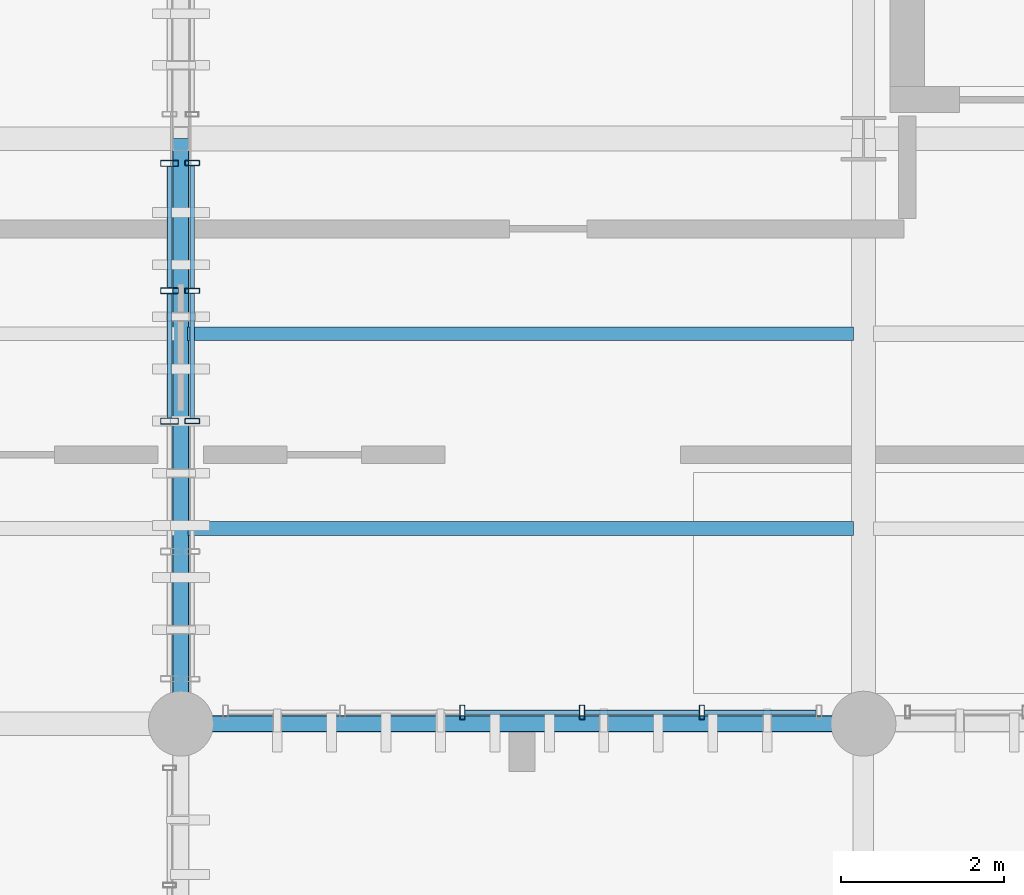
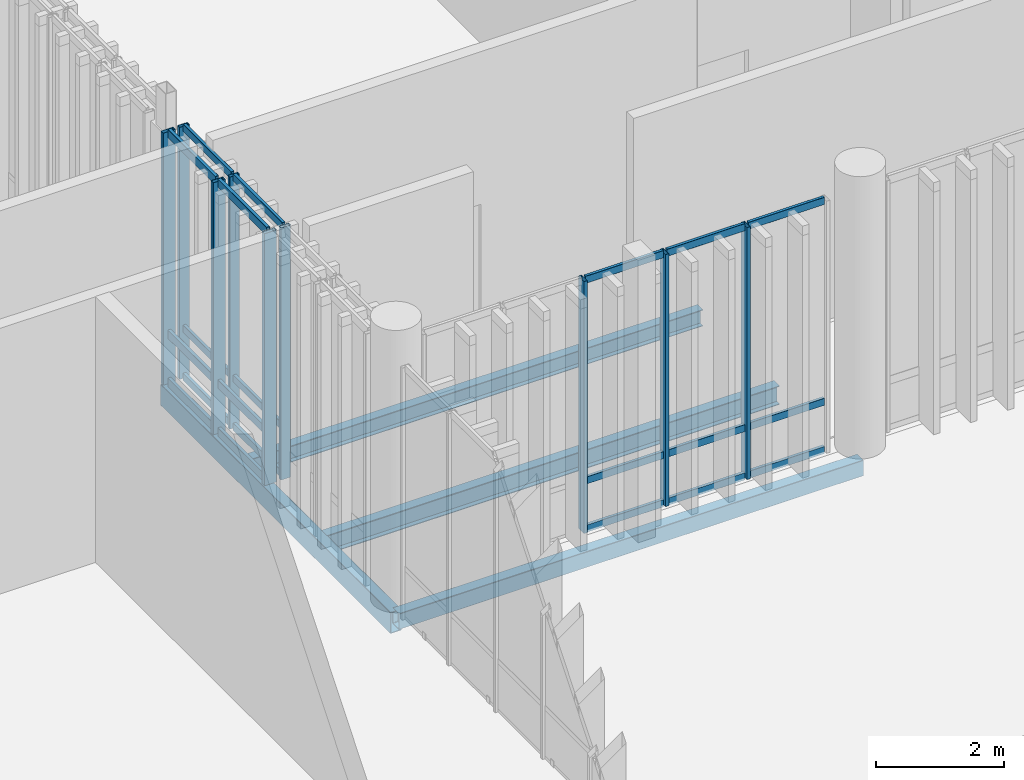
# One storey, part 36 of 128: 30 members, 4 beams, 3 elements without a shape of their own.
"""IFC4 building model written with IfcOpenShell, lengths in metres."""

from ifc_helpers import new_model, si_unit, direction, frame, origin_with_axes, origin_2d_with_axis, place, context, subcontext, project, spatial, hollow_rectangle, i_section, extrude, material, material_profile, profile_set, type_object, element, aggregate, save


model = new_model("IFC4")

# Units and contexts
model_context = context("Model", 3, precision=1e-05, world=origin_with_axes(), true_north=direction((0.0, 1.0)))
body_context = subcontext(model_context, "Body", "Model", "MODEL_VIEW")
ifc_project = project(units=[si_unit("LENGTHUNIT", "METRE"), si_unit("AREAUNIT", "SQUARE_METRE"), si_unit("VOLUMEUNIT", "CUBIC_METRE"), si_unit("PLANEANGLEUNIT", "RADIAN"), si_unit("MASSUNIT", "GRAM", prefix="KILO"), si_unit("THERMODYNAMICTEMPERATUREUNIT", "KELVIN")], contexts=[model_context])

# Site, building, storey
site_placement = place(None, origin_with_axes())
site = spatial("IfcSite", under=ifc_project, at=site_placement, CompositionType="ELEMENT")
building_placement = place(site_placement, origin_with_axes())
building = spatial("IfcBuilding", under=site, at=building_placement, Name="Montbau Bow Law Courts", CompositionType="ELEMENT")
storey_placement = place(building_placement, frame((0.0, 0.0, 5.4), z_axis=(0.0, 0.0, 1.0), x_axis=(1.0, 0.0, 0.0)))
storey = spatial("IfcBuildingStorey", under=building, at=storey_placement, Name="L01", CompositionType="ELEMENT", Elevation=5.4)

# Beams
ifc_material_1 = material(Name="Steel CSA G40.21 Grade 350W (350 MPa)", Category="steel")
ifc_material_profile_1 = material_profile(ifc_material_1, i_section(OverallWidth=0.172, OverallDepth=0.358, WebThickness=0.0079, FlangeThickness=0.0131, at=origin_2d_with_axis()), Name="W360X57", Category="Main", Priority=0)
ifc_profile_set_1 = profile_set([ifc_material_profile_1], Name="Steel CSA G40.21 Grade 350W (350 MPa)")
beam_type_1 = type_object("IfcBeamType", Name="B-JST-03", PredefinedType="JOIST", material=ifc_profile_set_1)
beam_1_placement = place(None, frame((46.88, 41.4, 4.981), z_axis=(1.0, 0.0, 0.0), x_axis=(0.0, 1.0, 0.0)))
element("IfcBeam", 1, at=beam_1_placement, inside=storey, type_object=beam_type_1, Name="JST-L01-S0414:jst2_0414", PredefinedType="JOIST", context=body_context, shape_type="SweptSolid", body=[
    extrude(i_section(OverallWidth=0.172, OverallDepth=0.358, WebThickness=0.0079, FlangeThickness=0.0131, at=origin_2d_with_axis()), origin_with_axes(), (0.0, 0.0, 1.0), 8.198),
])
ifc_material_profile_2 = material_profile(ifc_material_1, i_section(OverallWidth=0.166, OverallDepth=0.313, WebThickness=0.0066, FlangeThickness=0.0112, at=origin_2d_with_axis()), Name="W310X45", Category="Main", Priority=0)
ifc_profile_set_2 = profile_set([ifc_material_profile_2], Name="Steel CSA G40.21 Grade 350W (350 MPa)")
beam_type_2 = type_object("IfcBeamType", Name="B-JST-04", PredefinedType="JOIST", material=ifc_profile_set_2)
beam_2_placement = place(None, frame((46.88, 43.8, 5.003), z_axis=(1.0, 0.0, 0.0), x_axis=(0.0, 1.0, 0.0)))
element("IfcBeam", 2, at=beam_2_placement, inside=storey, type_object=beam_type_2, Name="JST-L01-S0415:jst2_0415", PredefinedType="JOIST", context=body_context, shape_type="SweptSolid", body=[
    extrude(i_section(OverallWidth=0.166, OverallDepth=0.313, WebThickness=0.0066, FlangeThickness=0.0112, at=origin_2d_with_axis()), origin_with_axes(), (0.0, 0.0, 1.0), 8.198),
])
ifc_material_2 = material(Name="Steel CSA G40.21 Grade 350WT (350 MPa)", Category="steel")
ifc_material_profile_3 = material_profile(ifc_material_2, hollow_rectangle(XDim=0.203, YDim=0.406, WallThickness=0.0127, InnerFilletRadius=0.0254, OuterFilletRadius=0.0127, at=origin_2d_with_axis()), Name="HSS406X203X13", Category="Main", Priority=0)
ifc_profile_set_3 = profile_set([ifc_material_profile_3], Name="Steel CSA G40.21 Grade 350WT (350 MPa)")
beam_type_3 = type_object("IfcBeamType", Name="B-SPN-01", PredefinedType="SPANDREL", material=ifc_profile_set_3)
beam_3_placement = place(None, frame((46.8, 39.0, 4.957), z_axis=(0.0, 1.0, 0.0), x_axis=(-1.0, 0.0, 0.0)))
element("IfcBeam", 3, at=beam_3_placement, inside=storey, type_object=beam_type_3, Name="SPN-L01-S0548:bm2_0551", PredefinedType="SPANDREL", context=body_context, shape_type="SweptSolid", body=[
    extrude(hollow_rectangle(XDim=0.203, YDim=0.406, WallThickness=0.0127, InnerFilletRadius=0.0254, OuterFilletRadius=0.0127, at=origin_2d_with_axis()), origin_with_axes(), (0.0, 0.0, 1.0), 7.2),
])
ifc_material_profile_4 = material_profile(ifc_material_2, hollow_rectangle(XDim=0.203, YDim=0.305, WallThickness=0.0127, InnerFilletRadius=0.0254, OuterFilletRadius=0.0127, at=origin_2d_with_axis()), Name="HSS305X203X13", Category="Main", Priority=0)
ifc_profile_set_4 = profile_set([ifc_material_profile_4], Name="Steel CSA G40.21 Grade 350WT (350 MPa)")
beam_type_4 = type_object("IfcBeamType", Name="B-SPN-02", PredefinedType="SPANDREL", material=ifc_profile_set_4)
beam_4_placement = place(None, frame((46.8, 39.0, 5.008), z_axis=(1.0, 0.0, 0.0), x_axis=(0.0, 1.0, 0.0)))
element("IfcBeam", 4, at=beam_4_placement, inside=storey, type_object=beam_type_4, Name="SPN-L01-S0798:bm2_0801", PredefinedType="SPANDREL", context=body_context, shape_type="SweptSolid", body=[
    extrude(hollow_rectangle(XDim=0.203, YDim=0.305, WallThickness=0.0127, InnerFilletRadius=0.0254, OuterFilletRadius=0.0127, at=origin_2d_with_axis()), origin_with_axes(), (0.0, 0.0, 1.0), 8.4),
])

# Curtain wall, members
ifc_material_3 = material(Name="Thermally Broken Extruded Aluminium AA 6063-T6", Category="aluminium")
curtain_wall_type_1 = type_object("IfcCurtainWallType", Name="CW-TRC-01", PredefinedType="NOTDEFINED", material=ifc_material_3)
curtain_wall_1_placement = place(None, frame((46.66, 39.515, 5.4), z_axis=(0.0, 0.0, 1.0), x_axis=(1.0, 0.0, 0.0)))
curtain_wall_1 = element("IfcCurtainWall", 5, at=curtain_wall_1_placement, inside=storey, type_object=curtain_wall_type_1, Name="CW-L01-030:cw_0030", PredefinedType="NOTDEFINED")
ifc_material_profile_5 = material_profile(ifc_material_3, hollow_rectangle(XDim=0.075, YDim=0.22, WallThickness=0.005, InnerFilletRadius=0.01, OuterFilletRadius=0.005, at=origin_2d_with_axis()), Name="CWM-220X75", Category="Main", Priority=0)
ifc_profile_set_5 = profile_set([ifc_material_profile_5], Name="Thermally Broken Extruded Aluminium AA 6063-T6")
member_type_1 = type_object("IfcMemberType", Name="M-MUL-01", PredefinedType="MULLION", material=ifc_profile_set_5)
member_1_placement = place(None, frame((46.66, 42.724, 5.4), z_axis=(0.0, 0.0, 1.0), x_axis=(0.0, 1.0, 0.0)))
member_1 = element("IfcMember", 6, at=member_1_placement, type_object=member_type_1, Name="CW-L01-030-M03:cw_0030_M03", PredefinedType="MULLION", context=body_context, shape_type="SweptSolid", body=[
    extrude(hollow_rectangle(XDim=0.075, YDim=0.22, WallThickness=0.005, InnerFilletRadius=0.01, OuterFilletRadius=0.005, at=origin_2d_with_axis()), origin_with_axes(), (0.0, 0.0, 1.0), 4.82),
])
member_2_placement = place(None, frame((46.66, 44.328, 5.4), z_axis=(0.0, 0.0, 1.0), x_axis=(0.0, 1.0, 0.0)))
member_2 = element("IfcMember", 7, at=member_2_placement, type_object=member_type_1, Name="CW-L01-030-M04:cw_0030_M04", PredefinedType="MULLION", context=body_context, shape_type="SweptSolid", body=[
    extrude(hollow_rectangle(XDim=0.075, YDim=0.22, WallThickness=0.005, InnerFilletRadius=0.01, OuterFilletRadius=0.005, at=origin_2d_with_axis()), origin_with_axes(), (0.0, 0.0, 1.0), 4.82),
])
member_3_placement = place(None, frame((46.66, 45.895, 5.4), z_axis=(0.0, 0.0, 1.0), x_axis=(0.0, 1.0, 0.0)))
member_3 = element("IfcMember", 8, at=member_3_placement, type_object=member_type_1, Name="CW-L01-030-M05:cw_0030_M05", PredefinedType="MULLION", context=body_context, shape_type="SweptSolid", body=[
    extrude(hollow_rectangle(XDim=0.075, YDim=0.22, WallThickness=0.005, InnerFilletRadius=0.01, OuterFilletRadius=0.005, at=origin_2d_with_axis()), origin_with_axes(), (0.0, 0.0, 1.0), 4.82),
])

curtain_wall_type_2 = type_object("IfcCurtainWallType", Name="CW-CRM-01", PredefinedType="NOTDEFINED", material=ifc_material_3)
curtain_wall_2_placement = place(None, frame((47.315, 39.14, 5.4), z_axis=(0.0, 0.0, 1.0), x_axis=(1.0, 0.0, 0.0)))
curtain_wall_2 = element("IfcCurtainWall", 9, at=curtain_wall_2_placement, inside=storey, type_object=curtain_wall_type_2, Name="CW-L01-139:cw_0139", PredefinedType="NOTDEFINED")
ifc_material_profile_6 = material_profile(ifc_material_3, hollow_rectangle(XDim=0.065, YDim=0.18, WallThickness=0.005, InnerFilletRadius=0.01, OuterFilletRadius=0.005, at=origin_2d_with_axis()), Name="CWM-180X65", Category="Main", Priority=0)
ifc_profile_set_6 = profile_set([ifc_material_profile_6], Name="Thermally Broken Extruded Aluminium AA 6063-T6")
member_type_2 = type_object("IfcMemberType", Name="M-MUL-02", PredefinedType="MULLION", material=ifc_profile_set_6)
member_4_placement = place(None, frame((50.263, 39.14, 5.4), z_axis=(0.0, 0.0, 1.0), x_axis=(1.0, 0.0, 0.0)))
member_4 = element("IfcMember", 10, at=member_4_placement, type_object=member_type_2, Name="CW-L01-139-M03:cw_0139_M03", PredefinedType="MULLION", context=body_context, shape_type="SweptSolid", body=[
    extrude(hollow_rectangle(XDim=0.065, YDim=0.18, WallThickness=0.005, InnerFilletRadius=0.01, OuterFilletRadius=0.005, at=origin_2d_with_axis()), origin_with_axes(), (0.0, 0.0, 1.0), 4.82),
])
member_5_placement = place(None, frame((51.737, 39.14, 5.4), z_axis=(0.0, 0.0, 1.0), x_axis=(1.0, 0.0, 0.0)))
member_5 = element("IfcMember", 11, at=member_5_placement, type_object=member_type_2, Name="CW-L01-139-M04:cw_0139_M04", PredefinedType="MULLION", context=body_context, shape_type="SweptSolid", body=[
    extrude(hollow_rectangle(XDim=0.065, YDim=0.18, WallThickness=0.005, InnerFilletRadius=0.01, OuterFilletRadius=0.005, at=origin_2d_with_axis()), origin_with_axes(), (0.0, 0.0, 1.0), 4.82),
])
member_6_placement = place(None, frame((53.211, 39.14, 5.4), z_axis=(0.0, 0.0, 1.0), x_axis=(1.0, 0.0, 0.0)))
member_6 = element("IfcMember", 12, at=member_6_placement, type_object=member_type_2, Name="CW-L01-139-M05:cw_0139_M05", PredefinedType="MULLION", context=body_context, shape_type="SweptSolid", body=[
    extrude(hollow_rectangle(XDim=0.065, YDim=0.18, WallThickness=0.005, InnerFilletRadius=0.01, OuterFilletRadius=0.005, at=origin_2d_with_axis()), origin_with_axes(), (0.0, 0.0, 1.0), 4.82),
])

curtain_wall_3_placement = place(None, frame((46.94, 39.515, 5.4), z_axis=(0.0, 0.0, 1.0), x_axis=(1.0, 0.0, 0.0)))
curtain_wall_3 = element("IfcCurtainWall", 13, at=curtain_wall_3_placement, inside=storey, type_object=curtain_wall_type_2, Name="CW-L01-151:cw_0151", PredefinedType="NOTDEFINED")
member_7_placement = place(None, frame((46.94, 42.724, 5.4), z_axis=(0.0, 0.0, 1.0), x_axis=(0.0, 1.0, 0.0)))
member_7 = element("IfcMember", 14, at=member_7_placement, type_object=member_type_2, Name="CW-L01-151-M03:cw_0151_M03", PredefinedType="MULLION", context=body_context, shape_type="SweptSolid", body=[
    extrude(hollow_rectangle(XDim=0.065, YDim=0.18, WallThickness=0.005, InnerFilletRadius=0.01, OuterFilletRadius=0.005, at=origin_2d_with_axis()), origin_with_axes(), (0.0, 0.0, 1.0), 4.82),
])
member_8_placement = place(None, frame((46.94, 44.328, 5.4), z_axis=(0.0, 0.0, 1.0), x_axis=(0.0, 1.0, 0.0)))
member_8 = element("IfcMember", 15, at=member_8_placement, type_object=member_type_2, Name="CW-L01-151-M04:cw_0151_M04", PredefinedType="MULLION", context=body_context, shape_type="SweptSolid", body=[
    extrude(hollow_rectangle(XDim=0.065, YDim=0.18, WallThickness=0.005, InnerFilletRadius=0.01, OuterFilletRadius=0.005, at=origin_2d_with_axis()), origin_with_axes(), (0.0, 0.0, 1.0), 4.82),
])
member_9_placement = place(None, frame((46.94, 45.9, 5.4), z_axis=(0.0, 0.0, 1.0), x_axis=(0.0, 1.0, 0.0)))
member_9 = element("IfcMember", 16, at=member_9_placement, type_object=member_type_2, Name="CW-L01-151-M05:cw_0151_M05", PredefinedType="MULLION", context=body_context, shape_type="SweptSolid", body=[
    extrude(hollow_rectangle(XDim=0.065, YDim=0.18, WallThickness=0.005, InnerFilletRadius=0.01, OuterFilletRadius=0.005, at=origin_2d_with_axis()), origin_with_axes(), (0.0, 0.0, 1.0), 4.82),
])

# Member
ifc_material_profile_7 = material_profile(ifc_material_3, hollow_rectangle(XDim=0.06, YDim=0.16, WallThickness=0.004, InnerFilletRadius=0.008, OuterFilletRadius=0.004, at=origin_2d_with_axis()), Name="CWT-160X60", Category="Main", Priority=0)
ifc_profile_set_7 = profile_set([ifc_material_profile_7], Name="Thermally Broken Extruded Aluminium AA 6063-T6")
member_type_3 = type_object("IfcMemberType", Name="M-TRN-01", PredefinedType="USERDEFINED", material=ifc_profile_set_7)
member_10_placement = place(None, frame((46.66, 42.763, 5.43), z_axis=(0.0, 1.0, 0.0), x_axis=(-1.0, 0.0, 0.0)))
member_10 = element("IfcMember", 17, at=member_10_placement, type_object=member_type_3, Name="CW-L01-030-T03-1:cw_0030_T03_1", ObjectType="TRANSOM", PredefinedType="USERDEFINED", context=body_context, shape_type="SweptSolid", body=[
    extrude(hollow_rectangle(XDim=0.06, YDim=0.16, WallThickness=0.004, InnerFilletRadius=0.008, OuterFilletRadius=0.004, at=origin_2d_with_axis()), origin_with_axes(), (0.0, 0.0, 1.0), 1.526),
])

member_11_placement = place(None, frame((46.66, 42.763, 6.35), z_axis=(0.0, 1.0, 0.0), x_axis=(-1.0, 0.0, 0.0)))
member_11 = element("IfcMember", 18, at=member_11_placement, type_object=member_type_3, Name="CW-L01-030-T03-2:cw_0030_T03_2", ObjectType="TRANSOM", PredefinedType="USERDEFINED", context=body_context, shape_type="SweptSolid", body=[
    extrude(hollow_rectangle(XDim=0.06, YDim=0.16, WallThickness=0.004, InnerFilletRadius=0.008, OuterFilletRadius=0.004, at=origin_2d_with_axis()), origin_with_axes(), (0.0, 0.0, 1.0), 1.526),
])

member_12_placement = place(None, frame((46.66, 42.763, 10.19), z_axis=(0.0, 1.0, 0.0), x_axis=(-1.0, 0.0, 0.0)))
member_12 = element("IfcMember", 19, at=member_12_placement, type_object=member_type_3, Name="CW-L01-030-T03-3:cw_0030_T03_3", ObjectType="TRANSOM", PredefinedType="USERDEFINED", context=body_context, shape_type="SweptSolid", body=[
    extrude(hollow_rectangle(XDim=0.06, YDim=0.16, WallThickness=0.004, InnerFilletRadius=0.008, OuterFilletRadius=0.004, at=origin_2d_with_axis()), origin_with_axes(), (0.0, 0.0, 1.0), 1.526),
])

member_13_placement = place(None, frame((46.66, 44.367, 5.43), z_axis=(0.0, 1.0, 0.0), x_axis=(-1.0, 0.0, 0.0)))
member_13 = element("IfcMember", 20, at=member_13_placement, type_object=member_type_3, Name="CW-L01-030-T04-1:cw_0030_T04_1", ObjectType="TRANSOM", PredefinedType="USERDEFINED", context=body_context, shape_type="SweptSolid", body=[
    extrude(hollow_rectangle(XDim=0.06, YDim=0.16, WallThickness=0.004, InnerFilletRadius=0.008, OuterFilletRadius=0.004, at=origin_2d_with_axis()), origin_with_axes(), (0.0, 0.0, 1.0), 1.489),
])

member_14_placement = place(None, frame((46.66, 44.367, 6.35), z_axis=(0.0, 1.0, 0.0), x_axis=(-1.0, 0.0, 0.0)))
member_14 = element("IfcMember", 21, at=member_14_placement, type_object=member_type_3, Name="CW-L01-030-T04-2:cw_0030_T04_2", ObjectType="TRANSOM", PredefinedType="USERDEFINED", context=body_context, shape_type="SweptSolid", body=[
    extrude(hollow_rectangle(XDim=0.06, YDim=0.16, WallThickness=0.004, InnerFilletRadius=0.008, OuterFilletRadius=0.004, at=origin_2d_with_axis()), origin_with_axes(), (0.0, 0.0, 1.0), 1.489),
])

member_15_placement = place(None, frame((46.66, 44.367, 10.19), z_axis=(0.0, 1.0, 0.0), x_axis=(-1.0, 0.0, 0.0)))
member_15 = element("IfcMember", 22, at=member_15_placement, type_object=member_type_3, Name="CW-L01-030-T04-3:cw_0030_T04_3", ObjectType="TRANSOM", PredefinedType="USERDEFINED", context=body_context, shape_type="SweptSolid", body=[
    extrude(hollow_rectangle(XDim=0.06, YDim=0.16, WallThickness=0.004, InnerFilletRadius=0.008, OuterFilletRadius=0.004, at=origin_2d_with_axis()), origin_with_axes(), (0.0, 0.0, 1.0), 1.489),
])

aggregate(curtain_wall_1, [member_1, member_2, member_3, member_10, member_11, member_12, member_13, member_14, member_15])

ifc_material_profile_8 = material_profile(ifc_material_3, hollow_rectangle(XDim=0.055, YDim=0.14, WallThickness=0.004, InnerFilletRadius=0.008, OuterFilletRadius=0.004, at=origin_2d_with_axis()), Name="CWT-140X55", Category="Main", Priority=0)
ifc_profile_set_8 = profile_set([ifc_material_profile_8], Name="Thermally Broken Extruded Aluminium AA 6063-T6")
member_type_4 = type_object("IfcMemberType", Name="M-TRN-02", PredefinedType="USERDEFINED", material=ifc_profile_set_8)
member_16_placement = place(None, frame((50.297, 39.14, 5.428), z_axis=(1.0, 0.0, 0.0), x_axis=(0.0, 1.0, 0.0)))
member_16 = element("IfcMember", 23, at=member_16_placement, type_object=member_type_4, Name="CW-L01-139-T03-1:cw_0139_T03_1", ObjectType="TRANSOM", PredefinedType="USERDEFINED", context=body_context, shape_type="SweptSolid", body=[
    extrude(hollow_rectangle(XDim=0.055, YDim=0.14, WallThickness=0.004, InnerFilletRadius=0.008, OuterFilletRadius=0.004, at=origin_2d_with_axis()), origin_with_axes(), (0.0, 0.0, 1.0), 1.406),
])

member_17_placement = place(None, frame((50.297, 39.14, 6.35), z_axis=(1.0, 0.0, 0.0), x_axis=(0.0, 1.0, 0.0)))
member_17 = element("IfcMember", 24, at=member_17_placement, type_object=member_type_4, Name="CW-L01-139-T03-2:cw_0139_T03_2", ObjectType="TRANSOM", PredefinedType="USERDEFINED", context=body_context, shape_type="SweptSolid", body=[
    extrude(hollow_rectangle(XDim=0.055, YDim=0.14, WallThickness=0.004, InnerFilletRadius=0.008, OuterFilletRadius=0.004, at=origin_2d_with_axis()), origin_with_axes(), (0.0, 0.0, 1.0), 1.406),
])

member_18_placement = place(None, frame((50.297, 39.14, 10.193), z_axis=(1.0, 0.0, 0.0), x_axis=(0.0, 1.0, 0.0)))
member_18 = element("IfcMember", 25, at=member_18_placement, type_object=member_type_4, Name="CW-L01-139-T03-3:cw_0139_T03_3", ObjectType="TRANSOM", PredefinedType="USERDEFINED", context=body_context, shape_type="SweptSolid", body=[
    extrude(hollow_rectangle(XDim=0.055, YDim=0.14, WallThickness=0.004, InnerFilletRadius=0.008, OuterFilletRadius=0.004, at=origin_2d_with_axis()), origin_with_axes(), (0.0, 0.0, 1.0), 1.406),
])

member_19_placement = place(None, frame((51.771, 39.14, 5.428), z_axis=(1.0, 0.0, 0.0), x_axis=(0.0, 1.0, 0.0)))
member_19 = element("IfcMember", 26, at=member_19_placement, type_object=member_type_4, Name="CW-L01-139-T04-1:cw_0139_T04_1", ObjectType="TRANSOM", PredefinedType="USERDEFINED", context=body_context, shape_type="SweptSolid", body=[
    extrude(hollow_rectangle(XDim=0.055, YDim=0.14, WallThickness=0.004, InnerFilletRadius=0.008, OuterFilletRadius=0.004, at=origin_2d_with_axis()), origin_with_axes(), (0.0, 0.0, 1.0), 1.406),
])

member_20_placement = place(None, frame((51.771, 39.14, 6.35), z_axis=(1.0, 0.0, 0.0), x_axis=(0.0, 1.0, 0.0)))
member_20 = element("IfcMember", 27, at=member_20_placement, type_object=member_type_4, Name="CW-L01-139-T04-2:cw_0139_T04_2", ObjectType="TRANSOM", PredefinedType="USERDEFINED", context=body_context, shape_type="SweptSolid", body=[
    extrude(hollow_rectangle(XDim=0.055, YDim=0.14, WallThickness=0.004, InnerFilletRadius=0.008, OuterFilletRadius=0.004, at=origin_2d_with_axis()), origin_with_axes(), (0.0, 0.0, 1.0), 1.406),
])

member_21_placement = place(None, frame((51.771, 39.14, 10.193), z_axis=(1.0, 0.0, 0.0), x_axis=(0.0, 1.0, 0.0)))
member_21 = element("IfcMember", 28, at=member_21_placement, type_object=member_type_4, Name="CW-L01-139-T04-3:cw_0139_T04_3", ObjectType="TRANSOM", PredefinedType="USERDEFINED", context=body_context, shape_type="SweptSolid", body=[
    extrude(hollow_rectangle(XDim=0.055, YDim=0.14, WallThickness=0.004, InnerFilletRadius=0.008, OuterFilletRadius=0.004, at=origin_2d_with_axis()), origin_with_axes(), (0.0, 0.0, 1.0), 1.406),
])

member_22_placement = place(None, frame((53.245, 39.14, 5.428), z_axis=(1.0, 0.0, 0.0), x_axis=(0.0, 1.0, 0.0)))
member_22 = element("IfcMember", 29, at=member_22_placement, type_object=member_type_4, Name="CW-L01-139-T05-1:cw_0139_T05_1", ObjectType="TRANSOM", PredefinedType="USERDEFINED", context=body_context, shape_type="SweptSolid", body=[
    extrude(hollow_rectangle(XDim=0.055, YDim=0.14, WallThickness=0.004, InnerFilletRadius=0.008, OuterFilletRadius=0.004, at=origin_2d_with_axis()), origin_with_axes(), (0.0, 0.0, 1.0), 1.374),
])

member_23_placement = place(None, frame((53.245, 39.14, 6.35), z_axis=(1.0, 0.0, 0.0), x_axis=(0.0, 1.0, 0.0)))
member_23 = element("IfcMember", 30, at=member_23_placement, type_object=member_type_4, Name="CW-L01-139-T05-2:cw_0139_T05_2", ObjectType="TRANSOM", PredefinedType="USERDEFINED", context=body_context, shape_type="SweptSolid", body=[
    extrude(hollow_rectangle(XDim=0.055, YDim=0.14, WallThickness=0.004, InnerFilletRadius=0.008, OuterFilletRadius=0.004, at=origin_2d_with_axis()), origin_with_axes(), (0.0, 0.0, 1.0), 1.374),
])

member_24_placement = place(None, frame((53.245, 39.14, 10.193), z_axis=(1.0, 0.0, 0.0), x_axis=(0.0, 1.0, 0.0)))
member_24 = element("IfcMember", 31, at=member_24_placement, type_object=member_type_4, Name="CW-L01-139-T05-3:cw_0139_T05_3", ObjectType="TRANSOM", PredefinedType="USERDEFINED", context=body_context, shape_type="SweptSolid", body=[
    extrude(hollow_rectangle(XDim=0.055, YDim=0.14, WallThickness=0.004, InnerFilletRadius=0.008, OuterFilletRadius=0.004, at=origin_2d_with_axis()), origin_with_axes(), (0.0, 0.0, 1.0), 1.374),
])

aggregate(curtain_wall_2, [member_4, member_5, member_6, member_16, member_17, member_18, member_19, member_20, member_21, member_22, member_23, member_24])

member_25_placement = place(None, frame((46.94, 42.759, 5.428), z_axis=(0.0, 1.0, 0.0), x_axis=(-1.0, 0.0, 0.0)))
member_25 = element("IfcMember", 32, at=member_25_placement, type_object=member_type_4, Name="CW-L01-151-T03-1:cw_0151_T03_1", ObjectType="TRANSOM", PredefinedType="USERDEFINED", context=body_context, shape_type="SweptSolid", body=[
    extrude(hollow_rectangle(XDim=0.055, YDim=0.14, WallThickness=0.004, InnerFilletRadius=0.008, OuterFilletRadius=0.004, at=origin_2d_with_axis()), origin_with_axes(), (0.0, 0.0, 1.0), 1.535),
])

member_26_placement = place(None, frame((46.94, 42.759, 6.35), z_axis=(0.0, 1.0, 0.0), x_axis=(-1.0, 0.0, 0.0)))
member_26 = element("IfcMember", 33, at=member_26_placement, type_object=member_type_4, Name="CW-L01-151-T03-2:cw_0151_T03_2", ObjectType="TRANSOM", PredefinedType="USERDEFINED", context=body_context, shape_type="SweptSolid", body=[
    extrude(hollow_rectangle(XDim=0.055, YDim=0.14, WallThickness=0.004, InnerFilletRadius=0.008, OuterFilletRadius=0.004, at=origin_2d_with_axis()), origin_with_axes(), (0.0, 0.0, 1.0), 1.535),
])

member_27_placement = place(None, frame((46.94, 42.759, 10.193), z_axis=(0.0, 1.0, 0.0), x_axis=(-1.0, 0.0, 0.0)))
member_27 = element("IfcMember", 34, at=member_27_placement, type_object=member_type_4, Name="CW-L01-151-T03-3:cw_0151_T03_3", ObjectType="TRANSOM", PredefinedType="USERDEFINED", context=body_context, shape_type="SweptSolid", body=[
    extrude(hollow_rectangle(XDim=0.055, YDim=0.14, WallThickness=0.004, InnerFilletRadius=0.008, OuterFilletRadius=0.004, at=origin_2d_with_axis()), origin_with_axes(), (0.0, 0.0, 1.0), 1.535),
])

member_28_placement = place(None, frame((46.94, 44.362, 5.428), z_axis=(0.0, 1.0, 0.0), x_axis=(-1.0, 0.0, 0.0)))
member_28 = element("IfcMember", 35, at=member_28_placement, type_object=member_type_4, Name="CW-L01-151-T04-1:cw_0151_T04_1", ObjectType="TRANSOM", PredefinedType="USERDEFINED", context=body_context, shape_type="SweptSolid", body=[
    extrude(hollow_rectangle(XDim=0.055, YDim=0.14, WallThickness=0.004, InnerFilletRadius=0.008, OuterFilletRadius=0.004, at=origin_2d_with_axis()), origin_with_axes(), (0.0, 0.0, 1.0), 1.504),
])

member_29_placement = place(None, frame((46.94, 44.362, 6.35), z_axis=(0.0, 1.0, 0.0), x_axis=(-1.0, 0.0, 0.0)))
member_29 = element("IfcMember", 36, at=member_29_placement, type_object=member_type_4, Name="CW-L01-151-T04-2:cw_0151_T04_2", ObjectType="TRANSOM", PredefinedType="USERDEFINED", context=body_context, shape_type="SweptSolid", body=[
    extrude(hollow_rectangle(XDim=0.055, YDim=0.14, WallThickness=0.004, InnerFilletRadius=0.008, OuterFilletRadius=0.004, at=origin_2d_with_axis()), origin_with_axes(), (0.0, 0.0, 1.0), 1.504),
])

member_30_placement = place(None, frame((46.94, 44.362, 10.193), z_axis=(0.0, 1.0, 0.0), x_axis=(-1.0, 0.0, 0.0)))
member_30 = element("IfcMember", 37, at=member_30_placement, type_object=member_type_4, Name="CW-L01-151-T04-3:cw_0151_T04_3", ObjectType="TRANSOM", PredefinedType="USERDEFINED", context=body_context, shape_type="SweptSolid", body=[
    extrude(hollow_rectangle(XDim=0.055, YDim=0.14, WallThickness=0.004, InnerFilletRadius=0.008, OuterFilletRadius=0.004, at=origin_2d_with_axis()), origin_with_axes(), (0.0, 0.0, 1.0), 1.504),
])

aggregate(curtain_wall_3, [member_7, member_8, member_9, member_25, member_26, member_27, member_28, member_29, member_30])

save(model, "model.ifc")
